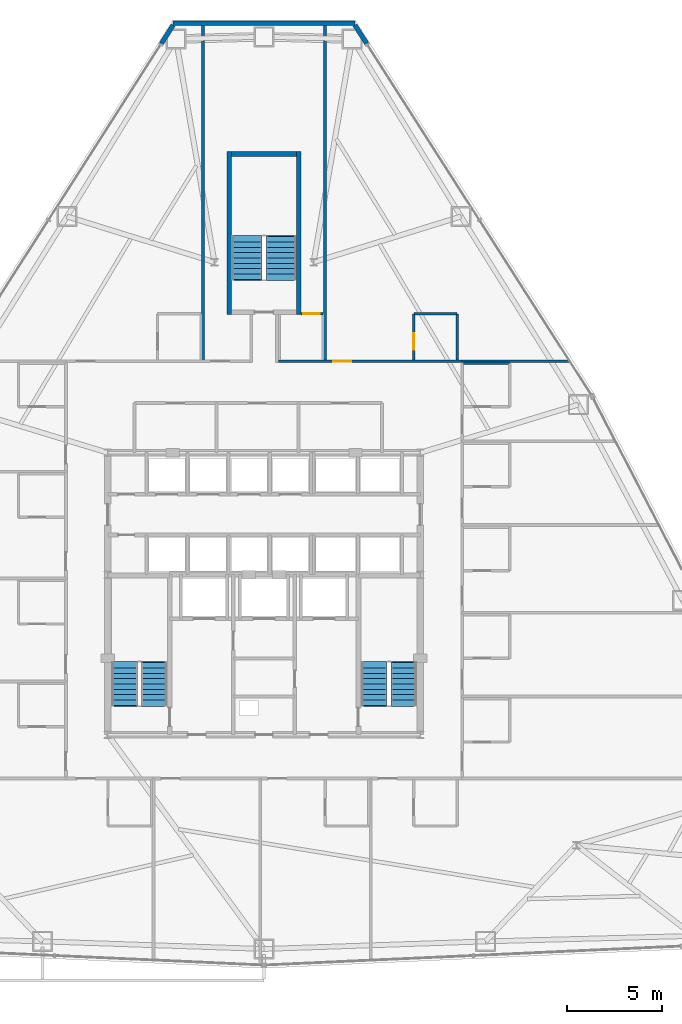
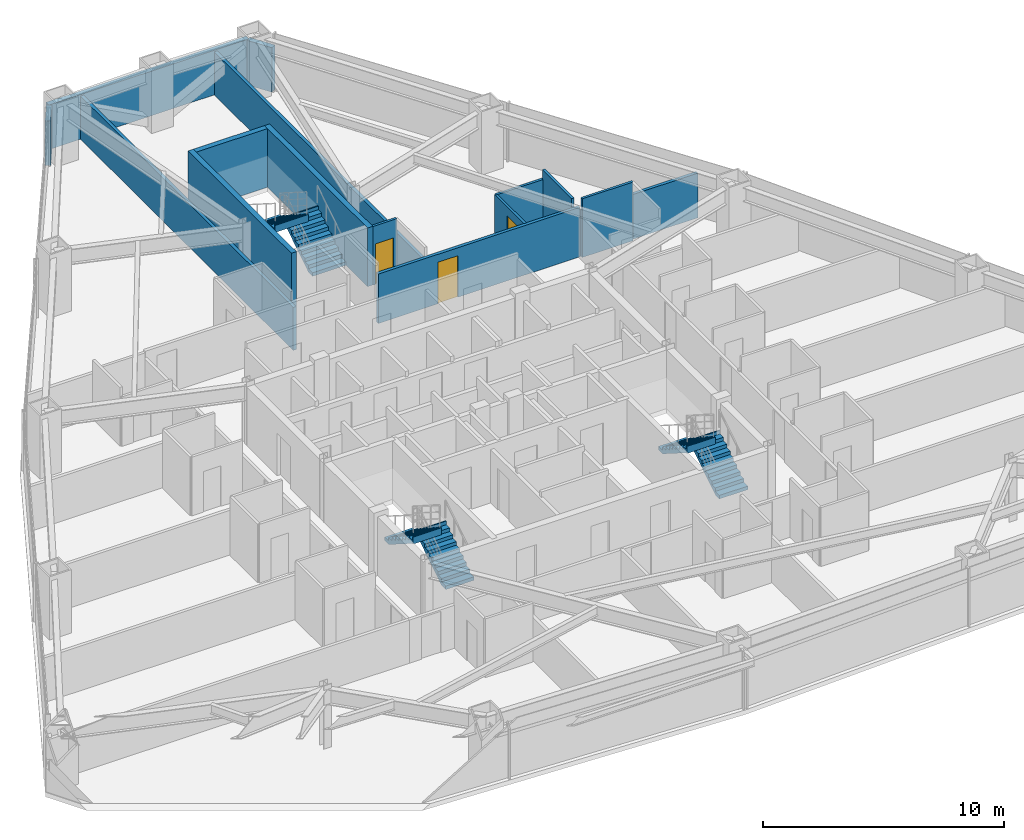
# One storey, part 12 of 13: 15 walls, 6 stair flights, 3 doors, 3 openings, 3 elements without a shape of their own.
"""IFC4 building model written with IfcOpenShell, lengths in metres."""

from ifc_helpers import new_model, si_unit, direction, frame, frame_2d, origin, place, context, subcontext, project, spatial, polyline, rectangle, outline, extrude, material, layer, layer_set, type_object, element, fill, aggregate, save


model = new_model("IFC4")

# Units and contexts
model_context = context("Model", 3, precision=1e-05, world=origin(), true_north=direction((0.0, 1.0)))
body_context = subcontext(model_context, "Body", "Model", "MODEL_VIEW")
ifc_project = project(units=[si_unit("LENGTHUNIT", "METRE"), si_unit("AREAUNIT", "SQUARE_METRE"), si_unit("VOLUMEUNIT", "CUBIC_METRE"), si_unit("PLANEANGLEUNIT", "RADIAN"), si_unit("MASSUNIT", "GRAM", prefix="KILO")], contexts=[model_context])

# Site, building, storey
site_placement = place(None, origin())
site = spatial("IfcSite", under=ifc_project, at=site_placement, CompositionType="ELEMENT")
building_placement = place(site_placement, origin())
building = spatial("IfcBuilding", under=site, at=building_placement, Name="Varakhsha Concourse Tower", CompositionType="ELEMENT")
storey_placement = place(building_placement, frame((0.0, 0.0, 89.39990234375)))
storey = spatial("IfcBuildingStorey", under=building, at=storey_placement, Name="L25", CompositionType="ELEMENT", Elevation=89.39990234375)

# Walls
ifc_material_1 = material(Name="Concrete fc 45 MPa", Category="concrete")
ifc_layer_1 = layer(ifc_material_1, 0.239990234375, Name="WL-EXT-CRN-240")
ifc_layer_set_1 = layer_set([ifc_layer_1], Name="Concrete fc 45 MPa")
wall_type_1 = type_object("IfcWallType", Name="WL-EXT-CRN-240", PredefinedType="SHEAR", material=ifc_layer_set_1)
wall_1_placement = place(storey_placement, frame((35.21435546875, 53.7509765625, 0.0), z_axis=(0.0, 0.0, 1.0), x_axis=(1.0, 0.0, 0.0)))
element("IfcWall", 1, at=wall_1_placement, inside=storey, type_object=wall_type_1, Name="L25 Chamfer Wind-Corner Insulated Wall F1", PredefinedType="SHEAR", context=body_context, shape_type="SweptSolid", body=[
    extrude(rectangle(XDim=9.5712890625, YDim=0.239990234375, at=frame_2d((4.78564453125, 0.0))), origin(), (0.0, 0.0, 1.0), 2.253173828125),
])
for number, where, z_axis, x_axis, name in (
    (2, (35.230712890625, 53.639404296875, 0.0), (0.0, 0.0, 1.0), (-0.538898738592, -0.842370553583, 0.0), "L25 Wind-Corner Shoulder Wall F2"),
    (3, (45.395751953125, 52.66015625, 0.0), (0.0, 0.0, 1.0), (-0.538898738592, 0.842370553583, 0.0), "L25 Wind-Corner Shoulder Wall F9"),
):
    element("IfcWall", number, at=place(storey_placement, frame(where, z_axis=z_axis, x_axis=x_axis)), inside=storey, type_object=wall_type_1, Name=name, PredefinedType="SHEAR", context=body_context, shape_type="SweptSolid", body=[
        extrude(rectangle(XDim=1.16259765625, YDim=0.239990234375, at=frame_2d((0.581298828125, 0.0))), origin(), (0.0, 0.0, 1.0), 2.253173828125),
    ])
ifc_material_2 = material(Name="Acoustic Gypsum Board Partition Assembly", Category="gypsum")
ifc_layer_2 = layer(ifc_material_2, 0.1201171875, Name="WL-PART-120")
ifc_layer_set_2 = layer_set([ifc_layer_2], Name="Acoustic Gypsum Board Partition Assembly")
wall_type_2 = type_object("IfcWallType", Name="WL-PART-120", PredefinedType="PARTITIONING", material=ifc_layer_set_2)
wall_2_placement = place(storey_placement, frame((50.4599609375, 35.889892578125, 0.0), z_axis=(0.0, 0.0, 1.0), x_axis=(1.0, 0.0, 0.0)))
element("IfcWall", 4, at=wall_2_placement, inside=storey, type_object=wall_type_2, Name="L25 Wall ENSW-N-L25-H13", PredefinedType="PARTITIONING", context=body_context, shape_type="SweptSolid", body=[
    extrude(rectangle(XDim=2.429931640625, YDim=0.1201171875, at=frame_2d((1.21484375, 0.0))), origin(), (0.0, 0.0, 1.0), 2.97021484375),
])

# Wall, opening, door
wall_3_placement = place(storey_placement, frame((41.949951171875, 38.489990234375, 0.0), z_axis=(0.0, 0.0, 1.0), x_axis=(1.0, 0.0, 0.0)))
wall_3 = element("IfcWall", 5, at=wall_3_placement, inside=storey, type_object=wall_type_2, Name="L25 Wall ENSW-N-L25-H15", PredefinedType="PARTITIONING", context=body_context, shape_type="SweptSolid", body=[
    extrude(rectangle(XDim=1.14013671875, YDim=0.1201171875, at=frame_2d((0.570068359375, 0.0))), origin(), (0.0, 0.0, 1.0), 2.97021484375),
])
opening_1_placement = place(wall_3_placement, frame((0.1201171875, 0.0, 0.0)))
opening_1 = element("IfcOpeningElement", 6, at=opening_1_placement, cuts=wall_3, Name="Opening DI-01", PredefinedType="OPENING", context=body_context, shape_type="SweptSolid", body=[
    extrude(rectangle(XDim=0.85009765625, YDim=2.050048828125, at=frame_2d((0.425048828125, 1.02490234375))), frame((0.0, 0.070068359375, 0.0), z_axis=(0.0, -1.0, 0.0), x_axis=(1.0, 0.0, 0.0)), (0.0, 0.0, 1.0), 0.14013671875),
])
ifc_material_3 = material(Name="Architectural Walnut Acoustic Timber Door", Category="wood")
door_type_1 = type_object("IfcDoorType", Name="DR-INT-850", OperationType="NOTDEFINED", PredefinedType="DOOR", material=ifc_material_3)
door_1_placement = place(opening_1_placement, origin())
door_1 = element("IfcDoor", 7, at=door_1_placement, inside=storey, type_object=door_type_1, Name="L25 En-suite Bathroom Door L25-H15", OperationType="SINGLE_SWING_RIGHT", OverallHeight=2.050048828125, OverallWidth=0.85009765625, PredefinedType="DOOR", context=body_context, shape_type="SweptSolid", body=[
    extrude(rectangle(XDim=0.85009765625, YDim=2.050048828125, at=frame_2d((0.425048828125, 1.02490234375))), frame((0.0, 0.02490234375, 0.0), z_axis=(0.0, -1.0, 0.0), x_axis=(1.0, 0.0, 0.0)), (0.0, 0.0, 1.0), 0.050048828125),
])
fill(opening_1, door_1)

wall_4_placement = place(storey_placement, frame((47.860107421875, 36.06005859375, 0.0), z_axis=(0.0, 0.0, 1.0), x_axis=(0.0, 1.0, 0.0)))
wall_4 = element("IfcWall", 8, at=wall_4_placement, inside=storey, type_object=wall_type_2, Name="L25 Wall ENSW-W-L25-H16", PredefinedType="PARTITIONING", context=body_context, shape_type="SweptSolid", body=[
    extrude(rectangle(XDim=2.429931640625, YDim=0.1201171875, at=frame_2d((1.21484375, 0.0))), origin(), (0.0, 0.0, 1.0), 2.503173828125),
])
opening_2_placement = place(wall_4_placement, frame((0.550048828125, 0.0, 0.0)))
opening_2 = element("IfcOpeningElement", 9, at=opening_2_placement, cuts=wall_4, Name="Opening DI-01", PredefinedType="OPENING", context=body_context, shape_type="SweptSolid", body=[
    extrude(rectangle(XDim=0.85009765625, YDim=2.050048828125, at=frame_2d((0.425048828125, 1.02490234375))), frame((0.0, 0.070068359375, 0.0), z_axis=(0.0, -1.0, 0.0), x_axis=(1.0, 0.0, 0.0)), (0.0, 0.0, 1.0), 0.14013671875),
])
door_2_placement = place(opening_2_placement, origin())
door_2 = element("IfcDoor", 10, at=door_2_placement, inside=storey, type_object=door_type_1, Name="L25 En-suite Bathroom Door L25-H16", OperationType="SINGLE_SWING_RIGHT", OverallHeight=2.050048828125, OverallWidth=0.85009765625, PredefinedType="DOOR", context=body_context, shape_type="SweptSolid", body=[
    extrude(rectangle(XDim=0.85009765625, YDim=2.050048828125, at=frame_2d((0.425048828125, 1.02490234375))), frame((0.0, 0.02490234375, 0.0), z_axis=(0.0, -1.0, 0.0), x_axis=(1.0, 0.0, 0.0)), (0.0, 0.0, 1.0), 0.050048828125),
])
fill(opening_2, door_2)

# Walls
wall_5_placement = place(storey_placement, frame((50.139892578125, 36.06005859375, 0.0), z_axis=(0.0, 0.0, 1.0), x_axis=(0.0, 1.0, 0.0)))
element("IfcWall", 11, at=wall_5_placement, inside=storey, type_object=wall_type_2, Name="L25 Wall ENSW-E-L25-H16", PredefinedType="PARTITIONING", context=body_context, shape_type="SweptSolid", body=[
    extrude(rectangle(XDim=2.429931640625, YDim=0.1201171875, at=frame_2d((1.21484375, 0.0))), origin(), (0.0, 0.0, 1.0), 2.97021484375),
])
wall_6_placement = place(storey_placement, frame((47.860107421875, 38.489990234375, 0.0), z_axis=(0.0, 0.0, 1.0), x_axis=(1.0, 0.0, 0.0)))
element("IfcWall", 12, at=wall_6_placement, inside=storey, type_object=wall_type_2, Name="L25 Wall ENSW-N-L25-H16", PredefinedType="PARTITIONING", context=body_context, shape_type="SweptSolid", body=[
    extrude(rectangle(XDim=2.27978515625, YDim=0.1201171875, at=frame_2d((1.139892578125, 0.0))), origin(), (0.0, 0.0, 1.0), 2.503173828125),
])

# Wall, opening, door
ifc_material_4 = material(Name="Fire-Rated Type X Gypsum Partition Assembly", Category="gypsum")
ifc_layer_3 = layer(ifc_material_4, 0.14990234375, Name="WL-PART-150")
ifc_layer_set_3 = layer_set([ifc_layer_3], Name="Fire-Rated Type X Gypsum Partition Assembly")
wall_type_3 = type_object("IfcWallType", Name="WL-PART-150", PredefinedType="PARTITIONING", material=ifc_layer_set_3)
wall_7_placement = place(storey_placement, frame((40.75, 36.0, 0.0), z_axis=(0.0, 0.0, 1.0), x_axis=(1.0, 0.0, 0.0)))
wall_7 = element("IfcWall", 13, at=wall_7_placement, inside=storey, type_object=wall_type_3, Name="L25 Wall CRW-N-L25-B", PredefinedType="PARTITIONING", context=body_context, shape_type="SweptSolid", body=[
    extrude(rectangle(XDim=9.64990234375, YDim=0.14990234375, at=frame_2d((4.824951171875, 0.0))), origin(), (0.0, 0.0, 1.0), 2.503173828125),
])
opening_3_placement = place(wall_7_placement, frame((2.8701171875, 0.0, 0.0)))
opening_3 = element("IfcOpeningElement", 14, at=opening_3_placement, cuts=wall_7, Name="Opening DF-05", PredefinedType="OPENING", context=body_context, shape_type="SweptSolid", body=[
    extrude(rectangle(XDim=0.949951171875, YDim=2.10009765625, at=frame_2d((0.47509765625, 1.050048828125))), frame((0.0, 0.0849609375, 0.0), z_axis=(0.0, -1.0, 0.0), x_axis=(1.0, 0.0, 0.0)), (0.0, 0.0, 1.0), 0.169921875),
])
ifc_material_5 = material(Name="Hollow Galvanised Steel Fire Door Assembly", Category="steel")
door_type_2 = type_object("IfcDoorType", Name="DR-FD60-950", OperationType="NOTDEFINED", PredefinedType="DOOR", material=ifc_material_5)
door_3_placement = place(opening_3_placement, origin())
door_3 = element("IfcDoor", 15, at=door_3_placement, inside=storey, type_object=door_type_2, Name="L25 Hotel Corner Suite L25-H16 Entry Door", OperationType="SINGLE_SWING_RIGHT", OverallHeight=2.10009765625, OverallWidth=0.949951171875, PredefinedType="DOOR", context=body_context, shape_type="SweptSolid", body=[
    extrude(rectangle(XDim=0.949951171875, YDim=2.10009765625, at=frame_2d((0.47509765625, 1.050048828125))), frame((0.0, 0.02490234375, 0.0), z_axis=(0.0, -1.0, 0.0), x_axis=(1.0, 0.0, 0.0)), (0.0, 0.0, 1.0), 0.050048828125),
])
fill(opening_3, door_3)

# Walls
wall_8_placement = place(storey_placement, frame((50.39990234375, 36.0, 0.0), z_axis=(0.0, 0.0, 1.0), x_axis=(1.0, 0.0, 0.0)))
element("IfcWall", 16, at=wall_8_placement, inside=storey, type_object=wall_type_3, Name="L25 Wall HDIV-EBN-L25", PredefinedType="PARTITIONING", context=body_context, shape_type="SweptSolid", body=[
    extrude(rectangle(XDim=5.64501953125, YDim=0.14990234375, at=frame_2d((2.822509765625, 0.0))), origin(), (0.0, 0.0, 1.0), 2.258056640625),
])
for number, where, z_axis, x_axis, name in (
    (17, (36.800048828125, 36.0, 0.0), (0.0, 0.0, 1.0), (0.0, 1.0, 0.0), "L25 Wall HDIV-N1-L25"),
    (18, (43.199951171875, 36.0, 0.0), (0.0, 0.0, 1.0), (0.0, 1.0, 0.0), "L25 Wall HDIV-N2-L25"),
):
    element("IfcWall", number, at=place(storey_placement, frame(where, z_axis=z_axis, x_axis=x_axis)), inside=storey, type_object=wall_type_3, Name=name, PredefinedType="PARTITIONING", context=body_context, shape_type="SweptSolid", body=[
        extrude(rectangle(XDim=17.745849609375, YDim=0.14990234375, at=frame_2d((8.873046875, 0.0))), origin(), (0.0, 0.0, 1.0), 2.18115234375),
    ])
ifc_layer_4 = layer(ifc_material_1, 0.25, Name="WL-STAIR-250")
ifc_layer_set_4 = layer_set([ifc_layer_4], Name="Concrete fc 45 MPa")
wall_type_4 = type_object("IfcWallType", Name="WL-STAIR-250", PredefinedType="SHEAR", material=ifc_layer_set_4)
for number, where, z_axis, x_axis, name in (
    (19, (38.175048828125, 38.449951171875, 0.0), (0.0, 0.0, 1.0), (0.0, 1.0, 0.0), "L25 Wall SWALL-ST5-W-L25"),
    (20, (41.824951171875, 38.449951171875, 0.0), (0.0, 0.0, 1.0), (0.0, 1.0, 0.0), "L25 Wall SWALL-ST5-E-L25"),
):
    element("IfcWall", number, at=place(storey_placement, frame(where, z_axis=z_axis, x_axis=x_axis)), inside=storey, type_object=wall_type_4, Name=name, PredefinedType="SHEAR", context=body_context, shape_type="SweptSolid", body=[
        extrude(rectangle(XDim=8.550048828125, YDim=0.25, at=frame_2d((4.27490234375, 0.0))), origin(), (0.0, 0.0, 1.0), 2.97021484375),
    ])
wall_9_placement = place(storey_placement, frame((38.300048828125, 46.875, 0.0), z_axis=(0.0, 0.0, 1.0), x_axis=(1.0, 0.0, 0.0)))
element("IfcWall", 21, at=wall_9_placement, inside=storey, type_object=wall_type_4, Name="L25 Wall SWALL-ST5-N-L25", PredefinedType="SHEAR", context=body_context, shape_type="SweptSolid", body=[
    extrude(rectangle(XDim=3.39990234375, YDim=0.25, at=frame_2d((1.699951171875, 0.0))), origin(), (0.0, 0.0, 1.0), 2.97021484375),
])

# Stair, stair flights
stair_type_1 = type_object("IfcStairType", Name="ST-DOGLEG-1360", PredefinedType="HALF_TURN_STAIR", material=ifc_material_1)
stair_1_placement = place(storey_placement, origin())
stair_1 = element("IfcStair", 22, at=stair_1_placement, inside=storey, type_object=stair_type_1, Name="L25 Protected Exit Stair ST1", PredefinedType="HALF_TURN_STAIR")
stair_flight_type_1 = type_object("IfcStairFlightType", Name="STF-1360-R1778", PredefinedType="STRAIGHT", material=ifc_material_1)
stair_flight_1_placement = place(storey_placement, frame((34.239990234375, 17.93994140625, 0.0), z_axis=(0.0, 0.0, 1.0), x_axis=(0.0, 1.0, 0.0)))
stair_flight_1 = element("IfcStairFlight", 23, at=stair_flight_1_placement, type_object=stair_flight_type_1, Name="ST1 flight 1", NumberOfRisers=9, NumberOfTreads=8, PredefinedType="STRAIGHT", RiserHeight=0.177777778, TreadLength=0.28, context=body_context, shape_type="SweptSolid", body=[
    extrude(outline(polyline([(-0.06005859375, 0.0), (-0.06005859375, 0.177734375), (0.0, 0.177734375), (0.280029296875, 0.177734375), (0.280029296875, 0.35546875), (0.56005859375, 0.35546875), (0.56005859375, 0.533447265625), (0.840087890625, 0.533447265625), (0.840087890625, 0.711181640625), (1.1201171875, 0.711181640625), (1.1201171875, 0.888916015625), (1.39990234375, 0.888916015625), (1.39990234375, 1.066650390625), (1.679931640625, 1.066650390625), (1.679931640625, 1.244384765625), (1.9599609375, 1.244384765625), (1.9599609375, 1.422119140625), (2.239990234375, 1.422119140625), (2.239990234375, 1.60009765625), (2.300048828125, 1.60009765625), (2.300048828125, 1.24462890625), (2.239990234375, 1.24462890625), (0.27978515625, 0.0), (-0.06005859375, 0.0)])), frame((0.0, 0.68017578125, 0.0), z_axis=(0.0, -1.0, 0.0), x_axis=(1.0, 0.0, 0.0)), (0.0, 0.0, 1.0), 1.360107421875),
])
stair_flight_2_placement = place(storey_placement, frame((32.679931640625, 20.179931640625, 1.60009765625), z_axis=(0.0, 0.0, 1.0), x_axis=(0.0, -1.0, 0.0)))
stair_flight_2 = element("IfcStairFlight", 24, at=stair_flight_2_placement, type_object=stair_flight_type_1, Name="ST1 flight 2", NumberOfRisers=9, NumberOfTreads=8, PredefinedType="STRAIGHT", RiserHeight=0.177777778, TreadLength=0.28, context=body_context, shape_type="SweptSolid", body=[
    extrude(outline(polyline([(-0.06005859375, 0.0), (-0.06005859375, 0.177734375), (0.0, 0.177734375), (0.280029296875, 0.177734375), (0.280029296875, 0.35546875), (0.56005859375, 0.35546875), (0.56005859375, 0.533447265625), (0.840087890625, 0.533447265625), (0.840087890625, 0.711181640625), (1.1201171875, 0.711181640625), (1.1201171875, 0.888916015625), (1.39990234375, 0.888916015625), (1.39990234375, 1.066650390625), (1.679931640625, 1.066650390625), (1.679931640625, 1.244384765625), (1.9599609375, 1.244384765625), (1.9599609375, 1.422119140625), (2.239990234375, 1.422119140625), (2.239990234375, 1.60009765625), (2.300048828125, 1.60009765625), (2.300048828125, 1.24462890625), (2.239990234375, 1.24462890625), (0.27978515625, 0.0), (-0.06005859375, 0.0)])), frame((0.0, 0.68017578125, 0.0), z_axis=(0.0, -1.0, 0.0), x_axis=(1.0, 0.0, 0.0)), (0.0, 0.0, 1.0), 1.360107421875),
])
aggregate(stair_1, [stair_flight_1, stair_flight_2])

stair_2_placement = place(storey_placement, origin())
stair_2 = element("IfcStair", 25, at=stair_2_placement, inside=storey, type_object=stair_type_1, Name="L25 Protected Exit Stair ST2", PredefinedType="HALF_TURN_STAIR")
stair_flight_3_placement = place(storey_placement, frame((47.340087890625, 17.93994140625, 0.0), z_axis=(0.0, 0.0, 1.0), x_axis=(0.0, 1.0, 0.0)))
stair_flight_3 = element("IfcStairFlight", 26, at=stair_flight_3_placement, type_object=stair_flight_type_1, Name="ST2 flight 1", NumberOfRisers=9, NumberOfTreads=8, PredefinedType="STRAIGHT", RiserHeight=0.177777778, TreadLength=0.28, context=body_context, shape_type="SweptSolid", body=[
    extrude(outline(polyline([(-0.06005859375, 0.0), (-0.06005859375, 0.177734375), (0.0, 0.177734375), (0.280029296875, 0.177734375), (0.280029296875, 0.35546875), (0.56005859375, 0.35546875), (0.56005859375, 0.533447265625), (0.840087890625, 0.533447265625), (0.840087890625, 0.711181640625), (1.1201171875, 0.711181640625), (1.1201171875, 0.888916015625), (1.39990234375, 0.888916015625), (1.39990234375, 1.066650390625), (1.679931640625, 1.066650390625), (1.679931640625, 1.244384765625), (1.9599609375, 1.244384765625), (1.9599609375, 1.422119140625), (2.239990234375, 1.422119140625), (2.239990234375, 1.60009765625), (2.300048828125, 1.60009765625), (2.300048828125, 1.24462890625), (2.239990234375, 1.24462890625), (0.27978515625, 0.0), (-0.06005859375, 0.0)])), frame((0.0, 0.68017578125, 0.0), z_axis=(0.0, -1.0, 0.0), x_axis=(1.0, 0.0, 0.0)), (0.0, 0.0, 1.0), 1.360107421875),
])
stair_flight_4_placement = place(storey_placement, frame((45.780029296875, 20.179931640625, 1.60009765625), z_axis=(0.0, 0.0, 1.0), x_axis=(0.0, -1.0, 0.0)))
stair_flight_4 = element("IfcStairFlight", 27, at=stair_flight_4_placement, type_object=stair_flight_type_1, Name="ST2 flight 2", NumberOfRisers=9, NumberOfTreads=8, PredefinedType="STRAIGHT", RiserHeight=0.177777778, TreadLength=0.28, context=body_context, shape_type="SweptSolid", body=[
    extrude(outline(polyline([(-0.06005859375, 0.0), (-0.06005859375, 0.177734375), (0.0, 0.177734375), (0.280029296875, 0.177734375), (0.280029296875, 0.35546875), (0.56005859375, 0.35546875), (0.56005859375, 0.533447265625), (0.840087890625, 0.533447265625), (0.840087890625, 0.711181640625), (1.1201171875, 0.711181640625), (1.1201171875, 0.888916015625), (1.39990234375, 0.888916015625), (1.39990234375, 1.066650390625), (1.679931640625, 1.066650390625), (1.679931640625, 1.244384765625), (1.9599609375, 1.244384765625), (1.9599609375, 1.422119140625), (2.239990234375, 1.422119140625), (2.239990234375, 1.60009765625), (2.300048828125, 1.60009765625), (2.300048828125, 1.24462890625), (2.239990234375, 1.24462890625), (0.27978515625, 0.0), (-0.06005859375, 0.0)])), frame((0.0, 0.68017578125, 0.0), z_axis=(0.0, -1.0, 0.0), x_axis=(1.0, 0.0, 0.0)), (0.0, 0.0, 1.0), 1.360107421875),
])
aggregate(stair_2, [stair_flight_3, stair_flight_4])

stair_type_2 = type_object("IfcStairType", Name="ST-DOGLEG-1600", PredefinedType="HALF_TURN_STAIR", material=ifc_material_1)
stair_3_placement = place(storey_placement, origin())
stair_3 = element("IfcStair", 28, at=stair_3_placement, inside=storey, type_object=stair_type_2, Name="L25 Protected Exit Stair ST5", PredefinedType="HALF_TURN_STAIR")
stair_flight_type_2 = type_object("IfcStairFlightType", Name="STF-1600-R1778", PredefinedType="STRAIGHT", material=ifc_material_1)
stair_flight_5_placement = place(storey_placement, frame((40.89990234375, 40.300048828125, 0.0), z_axis=(0.0, 0.0, 1.0), x_axis=(0.0, 1.0, 0.0)))
stair_flight_5 = element("IfcStairFlight", 29, at=stair_flight_5_placement, type_object=stair_flight_type_2, Name="ST5 flight 1", NumberOfRisers=9, NumberOfTreads=8, PredefinedType="STRAIGHT", RiserHeight=0.177777778, TreadLength=0.28, context=body_context, shape_type="SweptSolid", body=[
    extrude(outline(polyline([(-0.06005859375, 0.0), (-0.06005859375, 0.177734375), (0.0, 0.177734375), (0.280029296875, 0.177734375), (0.280029296875, 0.35546875), (0.56005859375, 0.35546875), (0.56005859375, 0.533447265625), (0.840087890625, 0.533447265625), (0.840087890625, 0.711181640625), (1.1201171875, 0.711181640625), (1.1201171875, 0.888916015625), (1.39990234375, 0.888916015625), (1.39990234375, 1.066650390625), (1.679931640625, 1.066650390625), (1.679931640625, 1.244384765625), (1.9599609375, 1.244384765625), (1.9599609375, 1.422119140625), (2.239990234375, 1.422119140625), (2.239990234375, 1.60009765625), (2.300048828125, 1.60009765625), (2.300048828125, 1.24462890625), (2.239990234375, 1.24462890625), (0.27978515625, 0.0), (-0.06005859375, 0.0)])), frame((0.0, 0.800048828125, 0.0), z_axis=(0.0, -1.0, 0.0), x_axis=(1.0, 0.0, 0.0)), (0.0, 0.0, 1.0), 1.60009765625),
])
stair_flight_6_placement = place(storey_placement, frame((39.10009765625, 42.5400390625, 1.60009765625), z_axis=(0.0, 0.0, 1.0), x_axis=(0.0, -1.0, 0.0)))
stair_flight_6 = element("IfcStairFlight", 30, at=stair_flight_6_placement, type_object=stair_flight_type_2, Name="ST5 flight 2", NumberOfRisers=9, NumberOfTreads=8, PredefinedType="STRAIGHT", RiserHeight=0.177777778, TreadLength=0.28, context=body_context, shape_type="SweptSolid", body=[
    extrude(outline(polyline([(-0.06005859375, 0.0), (-0.06005859375, 0.177734375), (0.0, 0.177734375), (0.280029296875, 0.177734375), (0.280029296875, 0.35546875), (0.56005859375, 0.35546875), (0.56005859375, 0.533447265625), (0.840087890625, 0.533447265625), (0.840087890625, 0.711181640625), (1.1201171875, 0.711181640625), (1.1201171875, 0.888916015625), (1.39990234375, 0.888916015625), (1.39990234375, 1.066650390625), (1.679931640625, 1.066650390625), (1.679931640625, 1.244384765625), (1.9599609375, 1.244384765625), (1.9599609375, 1.422119140625), (2.239990234375, 1.422119140625), (2.239990234375, 1.60009765625), (2.300048828125, 1.60009765625), (2.300048828125, 1.24462890625), (2.239990234375, 1.24462890625), (0.27978515625, 0.0), (-0.06005859375, 0.0)])), frame((0.0, 0.800048828125, 0.0), z_axis=(0.0, -1.0, 0.0), x_axis=(1.0, 0.0, 0.0)), (0.0, 0.0, 1.0), 1.60009765625),
])
aggregate(stair_3, [stair_flight_5, stair_flight_6])

save(model, "model.ifc")
